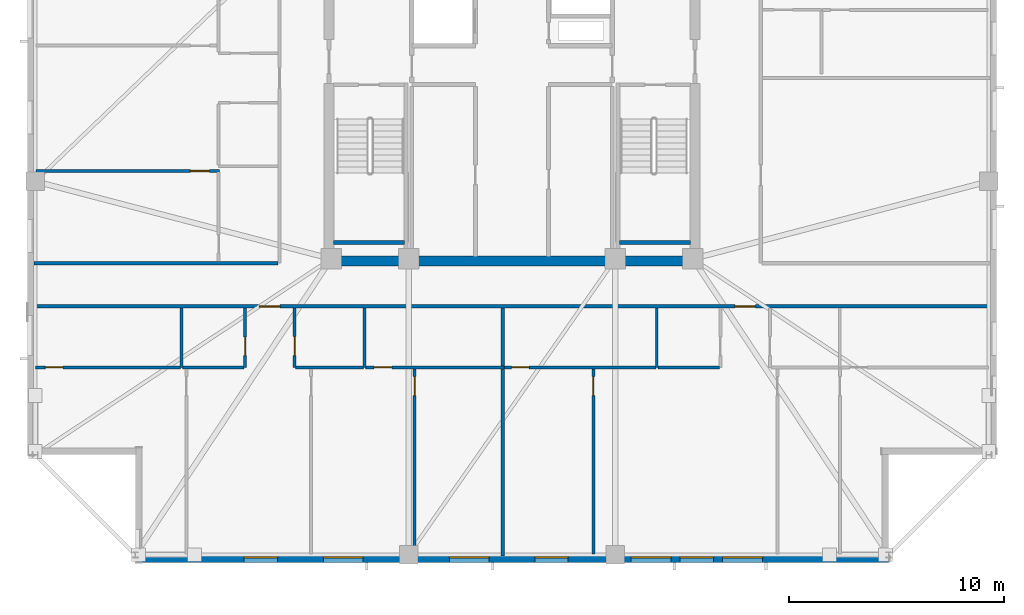
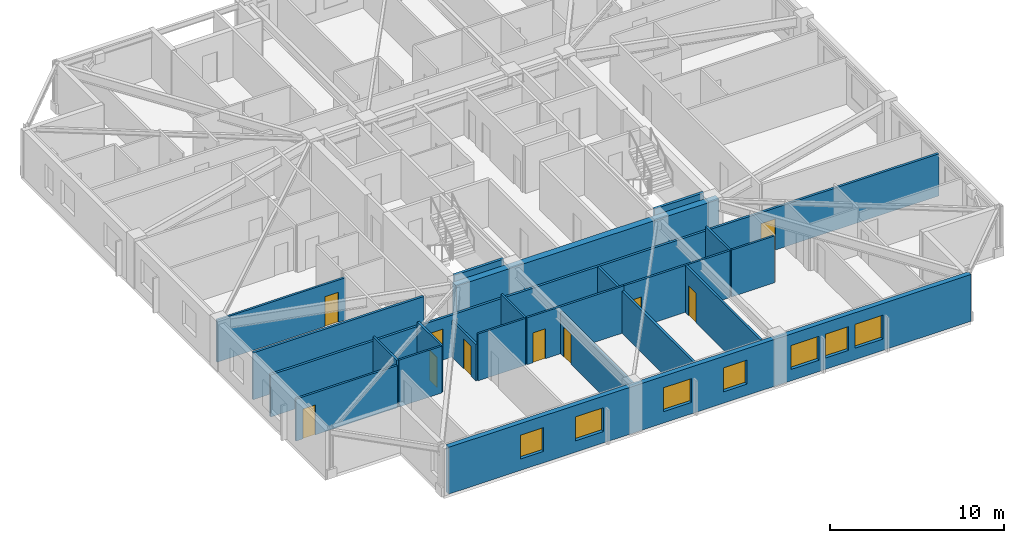
# One storey, part 7 of 17: 21 walls, 10 doors, 7 windows, 17 openings.
"""IFC4 building model written with IfcOpenShell, lengths in metres."""

import ifcopenshell
import ifcopenshell.guid

model = None  # the IFC model being written
_history = None  # IfcOwnerHistory: only IFC2X3 demands one
_inside = {}  # id of a spatial element -> (the spatial element, [elements in it])
_under = {}  # id of a project, library or spatial element -> (it, [spatial elements below it])
_declared = {}  # id of a project -> (the project, [libraries it declares])
_typed = {}  # id of a type object -> (the type object, [elements of that type])
_made_of = {}  # id of a material, layer set ... -> (it, [elements and type objects made of it])


def new_model(schema):
    """Start an empty IFC model of exactly this schema.

    Asked for "IFC4X3", IfcOpenShell would pick the latest addendum, in which some entities
    have other attributes; the version numbers below select the first issue.
    IFC2X3 requires an IfcOwnerHistory on every rooted entity: one is made here for all.
    """
    global model, _history
    if schema == "IFC4X3":
        model = ifcopenshell.file(schema_version=(4, 3, 0, 0))
    else:
        model = ifcopenshell.file(schema=schema)
    _inside.clear()
    _under.clear()
    _declared.clear()
    _typed.clear()
    _made_of.clear()
    _history = None
    if model.schema == "IFC2X3":
        org = make("IfcOrganization", Name="unknown")
        user = make(
            "IfcPersonAndOrganization",
            ThePerson=make("IfcPerson", FamilyName="unknown"),
            TheOrganization=org,
        )
        app = make(
            "IfcApplication",
            ApplicationDeveloper=org,
            Version="unknown",
            ApplicationFullName="unknown",
            ApplicationIdentifier="unknown",
        )
        _history = make(
            "IfcOwnerHistory",
            OwningUser=user,
            OwningApplication=app,
            ChangeAction="ADDED",
            CreationDate=0,
        )
    return model


def make(cls, **values):
    """One entity of the class cls with the attributes given. An attribute that is None is left unset."""
    return model.create_entity(
        cls, **{name: value for name, value in values.items() if value is not None}
    )


def rooted(cls, **values):
    """An entity with a GlobalId (a new one), such as an element, a storey or a relation."""
    return make(cls, GlobalId=ifcopenshell.guid.new(), OwnerHistory=_history, **values)


def si_unit(unit_type, name, prefix=None):
    """IfcSIUnit, for example si_unit("LENGTHUNIT", "METRE", prefix="MILLI")."""
    return make("IfcSIUnit", UnitType=unit_type, Prefix=prefix, Name=name)


def assignment(units):
    """IfcUnitAssignment: the units of a project."""
    return None if units is None else make("IfcUnitAssignment", Units=units)


def point(xyz):
    """IfcCartesianPoint."""
    return None if xyz is None else make("IfcCartesianPoint", Coordinates=xyz)


def direction(xyz):
    """IfcDirection."""
    return None if xyz is None else make("IfcDirection", DirectionRatios=xyz)


def frame(location, z_axis=None, x_axis=None):
    """IfcAxis2Placement3D, a coordinate frame: its origin and axes. An axis left out is left unset."""
    return make(
        "IfcAxis2Placement3D",
        Location=point(location),
        Axis=direction(z_axis),
        RefDirection=direction(x_axis),
    )


def frame_2d(location, x_axis=None):
    """IfcAxis2Placement2D, a coordinate frame in the plane: its origin and x axis."""
    return make(
        "IfcAxis2Placement2D", Location=point(location), RefDirection=direction(x_axis)
    )


def origin():
    """The frame at (0, 0, 0) with its axes left unset."""
    return frame((0.0, 0.0, 0.0))


def place(relative_to, where):
    """IfcLocalPlacement: puts the frame where relative to a parent placement (None: the world)."""
    return make(
        "IfcLocalPlacement", PlacementRelTo=relative_to, RelativePlacement=where
    )


def context(
    kind, dimensions, precision=None, world=None, true_north=None, identifier=None
):
    """IfcGeometricRepresentationContext, for example the 3D "Model" context."""
    return make(
        "IfcGeometricRepresentationContext",
        ContextIdentifier=identifier,
        ContextType=kind,
        CoordinateSpaceDimension=dimensions,
        Precision=precision,
        WorldCoordinateSystem=world,
        TrueNorth=true_north,
    )


def subcontext(parent, identifier, kind, view, scale=None):
    """IfcGeometricRepresentationSubContext, for example "Body" below "Model"."""
    return make(
        "IfcGeometricRepresentationSubContext",
        ContextIdentifier=identifier,
        ContextType=kind,
        ParentContext=parent,
        TargetScale=scale,
        TargetView=view,
    )


def project(units=None, contexts=None):
    """IfcProject with its units and contexts."""
    return rooted(
        "IfcProject",
        Name="project",
        RepresentationContexts=contexts,
        UnitsInContext=assignment(units),
    )


def spatial(cls, under=None, at=None, **own):
    """A site, building, storey or space (cls), placed at a placement, below another one or the project."""
    s = rooted(cls, ObjectPlacement=at, **own)
    if under is not None:
        _under.setdefault(under.id(), (under, []))[1].append(s)
    return s


def profile(cls, at=None, kind="AREA", **sizes):
    """A parametric profile (cls). Its sizes go by their IFC names, for example OverallWidth=200.0."""
    return make(cls, ProfileType=kind, Position=at, **sizes)


def rectangle(**sizes):
    """IfcRectangleProfileDef."""
    return profile("IfcRectangleProfileDef", **sizes)


def extrude(swept, where, along, depth):
    """IfcExtrudedAreaSolid: the profile swept, set in the frame where, extruded along a direction by depth."""
    return make(
        "IfcExtrudedAreaSolid",
        SweptArea=swept,
        Position=where,
        ExtrudedDirection=direction(along),
        Depth=depth,
    )


def shape(context_of_items, identifier, shape_type, items):
    """IfcShapeRepresentation: the items that make up one representation, for example the "Body"."""
    return make(
        "IfcShapeRepresentation",
        ContextOfItems=context_of_items,
        RepresentationIdentifier=identifier,
        RepresentationType=shape_type,
        Items=items,
    )


def material(Name=None, Category=None):
    """IfcMaterial."""
    return make("IfcMaterial", Name=Name, Category=Category)


def layer(
    of_material, thickness, ventilated=None, Name=None, Category=None, Priority=None
):
    """IfcMaterialLayer: one layer of a wall or slab, of a material (None: an air gap)."""
    return make(
        "IfcMaterialLayer",
        Material=of_material,
        LayerThickness=thickness,
        IsVentilated=ventilated,
        Name=Name,
        Category=Category,
        Priority=Priority,
    )


def layer_set(layers, Name=None):
    """IfcMaterialLayerSet."""
    return make("IfcMaterialLayerSet", MaterialLayers=layers, LayerSetName=Name)


def made_of(thing, what):
    """Note that an element or type object is made of a material, layer set ...; save() writes the relation."""
    if what is not None:
        _made_of.setdefault(what.id(), (what, []))[1].append(thing)
    return thing


def type_object(cls, material=None, **own):
    """A type object (cls), such as IfcWallType, which elements share."""
    return made_of(rooted(cls, **own), material)


def element(
    cls,
    number,
    at=None,
    inside=None,
    cuts=None,
    type_object=None,
    material=None,
    context=None,
    identifier="Body",
    shape_type=None,
    held_by="IfcProductDefinitionShape",
    body=None,
    shapes=None,
    **own,
):
    """One element of the class cls, such as IfcWall. Its Tag is "e" and its number.

    at: its placement. inside: the storey or other place that contains it. cuts: it is an
    opening in that element (IfcRelVoidsElement). A single representation is given by context,
    identifier, shape_type and body (its items); several are given by shapes. held_by: the class
    of the entity that holds the representations. save() writes the other relations.
    """
    e = rooted(cls, Tag="e%d" % number, ObjectPlacement=at, **own)
    if body is not None:
        shapes = [shape(context, identifier, shape_type, body)]
    if shapes is not None:
        e.Representation = make(held_by, Representations=shapes)
    if inside is not None:
        _inside.setdefault(inside.id(), (inside, []))[1].append(e)
    if cuts is not None:
        rooted(
            "IfcRelVoidsElement", RelatingBuildingElement=cuts, RelatedOpeningElement=e
        )
    if type_object is not None:
        _typed.setdefault(type_object.id(), (type_object, []))[1].append(e)
    return made_of(e, material)


def fill(opening, filler):
    """IfcRelFillsElement: the door or window that sits in an opening."""
    return rooted(
        "IfcRelFillsElement",
        RelatingOpeningElement=opening,
        RelatedBuildingElement=filler,
    )


def aggregate(whole, parts):
    """IfcRelAggregates: a whole, such as a stair, and the parts it consists of."""
    return rooted("IfcRelAggregates", RelatingObject=whole, RelatedObjects=parts)


def save(model, path):
    """Write the relations noted so far, then the file.

    IfcRelAggregates (storeys below a building ...), IfcRelContainedInSpatialStructure (elements
    in a storey), IfcRelDefinesByType, IfcRelAssociatesMaterial and IfcRelDeclares: one each for
    every whole, place, type object, material and project.
    """
    for whole, parts in _under.values():
        aggregate(whole, parts)
    for where, things in _inside.values():
        rooted(
            "IfcRelContainedInSpatialStructure",
            RelatedElements=things,
            RelatingStructure=where,
        )
    for kind, things in _typed.values():
        rooted("IfcRelDefinesByType", RelatedObjects=things, RelatingType=kind)
    for what, things in _made_of.values():
        rooted("IfcRelAssociatesMaterial", RelatedObjects=things, RelatingMaterial=what)
    for by, libraries in _declared.values():
        rooted("IfcRelDeclares", RelatingContext=by, RelatedDefinitions=libraries)
    model.write(path)


model = new_model("IFC4")

# Units and contexts
model_context = context("Model", 3, precision=1e-05, world=origin(), true_north=direction((0.0, 1.0)))
body_context = subcontext(model_context, "Body", "Model", "MODEL_VIEW")
ifc_project = project(units=[si_unit("LENGTHUNIT", "METRE"), si_unit("AREAUNIT", "SQUARE_METRE"), si_unit("VOLUMEUNIT", "CUBIC_METRE"), si_unit("PLANEANGLEUNIT", "RADIAN"), si_unit("MASSUNIT", "GRAM", prefix="KILO")], contexts=[model_context])

# Site, building, storey
site_placement = place(None, origin())
site = spatial("IfcSite", under=ifc_project, at=site_placement, CompositionType="ELEMENT")
building_placement = place(site_placement, origin())
building = spatial("IfcBuilding", under=site, at=building_placement, Name="Cairnveth Concourse Tower", CompositionType="ELEMENT")
storey_placement = place(building_placement, frame((0.0, 0.0, 223.5)))
storey = spatial("IfcBuildingStorey", under=building, at=storey_placement, Name="L61", CompositionType="ELEMENT", Elevation=223.5)

# Wall, openings, doors
ifc_material_1 = material(Name="Gypsum Plasterboard Partition", Category="gypsum")
ifc_layer_1 = layer(ifc_material_1, 0.159912109375)
ifc_layer_set_1 = layer_set([ifc_layer_1], Name="Gypsum Plasterboard Partition")
wall_type_1 = type_object("IfcWallType", Name="ACOUSTIC PARTY WALL 180", PredefinedType="PARTITIONING", material=ifc_layer_set_1)
wall_1_placement = place(storey_placement, frame((29.804931640625, 28.387451171875, 0.0), z_axis=(0.0, 0.0, 1.0), x_axis=(1.0, 0.0, 0.0)))
wall_1 = element("IfcWall", 1, at=wall_1_placement, inside=storey, type_object=wall_type_1, Name="Interior Wall IW-L61-034", PredefinedType="PARTITIONING", context=body_context, shape_type="SweptSolid", body=[
    extrude(rectangle(XDim=44.39013671875, YDim=0.159912109375, at=frame_2d((22.195068359375, 0.0))), origin(), (0.0, 0.0, 1.0), 2.9580078125),
])
opening_1_placement = place(wall_1_placement, frame((10.463623046875, 0.0, 0.0)))
opening_1 = element("IfcOpeningElement", 2, at=opening_1_placement, cuts=wall_1, Name="Opening ID10", PredefinedType="OPENING", context=body_context, shape_type="SweptSolid", body=[
    extrude(rectangle(XDim=0.9599609375, YDim=2.179931640625, at=frame_2d((0.47998046875, 1.08984375))), frame((0.0, 0.08984375, 0.0), z_axis=(0.0, -1.0, 0.0), x_axis=(1.0, 0.0, 0.0)), (0.0, 0.0, 1.0), 0.179931640625),
])
opening_2_placement = place(wall_1_placement, frame((32.543701171875, 0.0, 0.0)))
opening_2 = element("IfcOpeningElement", 3, at=opening_2_placement, cuts=wall_1, Name="Opening ID10", PredefinedType="OPENING", context=body_context, shape_type="SweptSolid", body=[
    extrude(rectangle(XDim=0.9599609375, YDim=2.179931640625, at=frame_2d((0.47998046875, 1.08984375))), frame((0.0, 0.08984375, 0.0), z_axis=(0.0, -1.0, 0.0), x_axis=(1.0, 0.0, 0.0)), (0.0, 0.0, 1.0), 0.179931640625),
])
ifc_material_2 = material(Name="Solid Core Hardwood Timber Leaf", Category="wood")
door_type_1 = type_object("IfcDoorType", Name="FLAT ENTRANCE DOOR 960X2150", OperationType="NOTDEFINED", PredefinedType="DOOR", material=ifc_material_2)
door_1_placement = place(opening_1_placement, origin())
door_1 = element("IfcDoor", 4, at=door_1_placement, inside=storey, type_object=door_type_1, Name="Apartment L61S1 Entrance Door", OperationType="SINGLE_SWING_RIGHT", OverallHeight=2.179931640625, OverallWidth=0.9599609375, PredefinedType="DOOR", context=body_context, shape_type="SweptSolid", body=[
    extrude(rectangle(XDim=0.9599609375, YDim=2.179931640625, at=frame_2d((0.47998046875, 1.08984375))), frame((0.0, 0.02490234375, 0.0), z_axis=(0.0, -1.0, 0.0), x_axis=(1.0, 0.0, 0.0)), (0.0, 0.0, 1.0), 0.050048828125),
])
fill(opening_1, door_1)
door_2_placement = place(opening_2_placement, origin())
door_2 = element("IfcDoor", 5, at=door_2_placement, inside=storey, type_object=door_type_1, Name="Apartment L61S2 Entrance Door", OperationType="SINGLE_SWING_RIGHT", OverallHeight=2.179931640625, OverallWidth=0.9599609375, PredefinedType="DOOR", context=body_context, shape_type="SweptSolid", body=[
    extrude(rectangle(XDim=0.9599609375, YDim=2.179931640625, at=frame_2d((0.47998046875, 1.08984375))), frame((0.0, 0.02490234375, 0.0), z_axis=(0.0, -1.0, 0.0), x_axis=(1.0, 0.0, 0.0)), (0.0, 0.0, 1.0), 0.050048828125),
])
fill(opening_2, door_2)

# Walls
wall_2_placement = place(storey_placement, frame((29.804931640625, 30.39990234375, 0.0), z_axis=(0.0, 0.0, 1.0), x_axis=(1.0, 0.0, 0.0)))
element("IfcWall", 6, at=wall_2_placement, inside=storey, type_object=wall_type_1, Name="Interior Wall IW-L61-038", PredefinedType="PARTITIONING", context=body_context, shape_type="SweptSolid", body=[
    extrude(rectangle(XDim=11.330078125, YDim=0.159912109375, at=frame_2d((5.6650390625, 0.0))), origin(), (0.0, 0.0, 1.0), 3.2900390625),
])
wall_3_placement = place(storey_placement, frame((51.577392578125, 16.804931640625, 0.0), z_axis=(0.0, 0.0, 1.0), x_axis=(0.0, 1.0, 0.0)))
element("IfcWall", 7, at=wall_3_placement, inside=storey, type_object=wall_type_1, Name="Interior Wall IW-L61-053", PredefinedType="PARTITIONING", context=body_context, shape_type="SweptSolid", body=[
    extrude(rectangle(XDim=11.517578125, YDim=0.159912109375, at=frame_2d((5.7587890625, 0.0))), origin(), (0.0, 0.0, 1.0), 2.9580078125),
])
ifc_material_3 = material(Name="Concrete N65 (65 MPa)", Category="concrete")
ifc_layer_2 = layer(ifc_material_3, 0.449951171875)
ifc_layer_set_2 = layer_set([ifc_layer_2], Name="Concrete N65 (65 MPa)")
wall_type_2 = type_object("IfcWallType", Name="CORE SHEAR WALL 450", PredefinedType="SHEAR", material=ifc_layer_set_2)
wall_4_placement = place(storey_placement, frame((43.27490234375, 30.5, 0.0), z_axis=(0.0, 0.0, 1.0), x_axis=(1.0, 0.0, 0.0)))
element("IfcWall", 8, at=wall_4_placement, inside=storey, type_object=wall_type_2, Name="Core South Shear Wall L61", PredefinedType="SHEAR", context=body_context, shape_type="SweptSolid", body=[
    extrude(rectangle(XDim=17.4501953125, YDim=0.449951171875, at=frame_2d((8.72509765625, 0.0))), origin(), (0.0, 0.0, 1.0), 3.2900390625),
])
ifc_material_4 = material(Name="Concrete N50 (50 MPa)", Category="concrete")
ifc_layer_3 = layer(ifc_material_4, 0.179931640625)
ifc_layer_set_3 = layer_set([ifc_layer_3], Name="Concrete N50 (50 MPa)")
wall_type_3 = type_object("IfcWallType", Name="FIRE SHAFT WALL 180", PredefinedType="SOLIDWALL", material=ifc_layer_set_3)
for number, where, z_axis, x_axis, name in (
    (9, (43.715087890625, 31.360107421875, 0.0), (0.0, 0.0, 1.0), (1.0, 0.0, 0.0), "Stair ST-1 Shaft Wall FAR L61"),
    (10, (57.0048828125, 31.360107421875, 0.0), (0.0, 0.0, 1.0), (1.0, 0.0, 0.0), "Stair ST-2 Shaft Wall FAR L61"),
):
    element("IfcWall", number, at=place(storey_placement, frame(where, z_axis=z_axis, x_axis=x_axis)), inside=storey, type_object=wall_type_3, Name=name, PredefinedType="SOLIDWALL", context=body_context, shape_type="SweptSolid", body=[
        extrude(rectangle(XDim=3.280029296875, YDim=0.179931640625, at=frame_2d((1.64013671875, 0.0))), origin(), (0.0, 0.0, 1.0), 3.2900390625),
    ])

# Wall, opening, door
ifc_layer_4 = layer(ifc_material_1, 0.139892578125)
ifc_layer_set_4 = layer_set([ifc_layer_4], Name="Gypsum Plasterboard Partition")
wall_type_4 = type_object("IfcWallType", Name="GYPSUM STUD PARTITION 140", PredefinedType="PARTITIONING", material=ifc_layer_set_4)
wall_5_placement = place(storey_placement, frame((29.8701171875, 25.5576171875, 0.0), z_axis=(0.0, 0.0, 1.0), x_axis=(1.0, 0.0, 0.0)))
wall_5 = element("IfcWall", 11, at=wall_5_placement, inside=storey, type_object=wall_type_4, Name="Interior Wall IW-L61-049", PredefinedType="PARTITIONING", context=body_context, shape_type="SweptSolid", body=[
    extrude(rectangle(XDim=6.728759765625, YDim=0.139892578125, at=frame_2d((3.3642578125, 0.0))), origin(), (0.0, 0.0, 1.0), 2.9580078125),
])
opening_3_placement = place(wall_5_placement, frame((0.449951171875, 0.0, 0.0)))
opening_3 = element("IfcOpeningElement", 12, at=opening_3_placement, cuts=wall_5, Name="Opening ID22", PredefinedType="OPENING", context=body_context, shape_type="SweptSolid", body=[
    extrude(rectangle(XDim=0.820068359375, YDim=2.10009765625, at=frame_2d((0.41015625, 1.050048828125))), frame((0.0, 0.079833984375, 0.0), z_axis=(0.0, -1.0, 0.0), x_axis=(1.0, 0.0, 0.0)), (0.0, 0.0, 1.0), 0.159912109375),
])
door_type_2 = type_object("IfcDoorType", Name="INTERIOR WC DOOR 820X2100", OperationType="NOTDEFINED", PredefinedType="DOOR", material=ifc_material_2)
door_3_placement = place(opening_3_placement, origin())
door_3 = element("IfcDoor", 13, at=door_3_placement, inside=storey, type_object=door_type_2, Name="L61S1 Dressing Door", OperationType="SINGLE_SWING_LEFT", OverallHeight=2.10009765625, OverallWidth=0.820068359375, PredefinedType="DOOR", context=body_context, shape_type="SweptSolid", body=[
    extrude(rectangle(XDim=0.820068359375, YDim=2.10009765625, at=frame_2d((0.41015625, 1.050048828125))), frame((0.0, 0.02490234375, 0.0), z_axis=(0.0, -1.0, 0.0), x_axis=(1.0, 0.0, 0.0)), (0.0, 0.0, 1.0), 0.050048828125),
])
fill(opening_3, door_3)

wall_6_placement = place(storey_placement, frame((47.4775390625, 16.8798828125, 0.0), z_axis=(0.0, 0.0, 1.0), x_axis=(0.0, 1.0, 0.0)))
wall_6 = element("IfcWall", 14, at=wall_6_placement, inside=storey, type_object=wall_type_4, Name="Interior Wall IW-L61-050", PredefinedType="PARTITIONING", context=body_context, shape_type="SweptSolid", body=[
    extrude(rectangle(XDim=8.717529296875, YDim=0.139892578125, at=frame_2d((4.35888671875, 0.0))), origin(), (0.0, 0.0, 1.0), 2.9580078125),
])
opening_4_placement = place(wall_6_placement, frame((7.367431640625, 0.0, 0.0)))
opening_4 = element("IfcOpeningElement", 15, at=opening_4_placement, cuts=wall_6, Name="Opening ID18", PredefinedType="OPENING", context=body_context, shape_type="SweptSolid", body=[
    extrude(rectangle(XDim=0.8798828125, YDim=2.10009765625, at=frame_2d((0.43994140625, 1.050048828125))), frame((0.0, 0.079833984375, 0.0), z_axis=(0.0, -1.0, 0.0), x_axis=(1.0, 0.0, 0.0)), (0.0, 0.0, 1.0), 0.159912109375),
])
door_type_3 = type_object("IfcDoorType", Name="INTERIOR SINGLE DOOR 880X2100", OperationType="NOTDEFINED", PredefinedType="DOOR", material=ifc_material_2)
door_4_placement = place(opening_4_placement, origin())
door_4 = element("IfcDoor", 16, at=door_4_placement, inside=storey, type_object=door_type_3, Name="L61S1 Bedroom 2 Door", OperationType="SINGLE_SWING_RIGHT", OverallHeight=2.10009765625, OverallWidth=0.8798828125, PredefinedType="DOOR", context=body_context, shape_type="SweptSolid", body=[
    extrude(rectangle(XDim=0.8798828125, YDim=2.10009765625, at=frame_2d((0.43994140625, 1.050048828125))), frame((0.0, 0.02490234375, 0.0), z_axis=(0.0, -1.0, 0.0), x_axis=(1.0, 0.0, 0.0)), (0.0, 0.0, 1.0), 0.050048828125),
])
fill(opening_4, door_4)

wall_7_placement = place(storey_placement, frame((45.19873046875, 25.5576171875, 0.0), z_axis=(0.0, 0.0, 1.0), x_axis=(1.0, 0.0, 0.0)))
wall_7 = element("IfcWall", 17, at=wall_7_placement, inside=storey, type_object=wall_type_4, Name="Interior Wall IW-L61-051", PredefinedType="PARTITIONING", context=body_context, shape_type="SweptSolid", body=[
    extrude(rectangle(XDim=6.4287109375, YDim=0.139892578125, at=frame_2d((3.21435546875, 0.0))), origin(), (0.0, 0.0, 1.0), 3.2900390625),
])
opening_5_placement = place(wall_7_placement, frame((0.39990234375, 0.0, 0.0)))
opening_5 = element("IfcOpeningElement", 18, at=opening_5_placement, cuts=wall_7, Name="Opening ID22", PredefinedType="OPENING", context=body_context, shape_type="SweptSolid", body=[
    extrude(rectangle(XDim=0.820068359375, YDim=2.10009765625, at=frame_2d((0.41015625, 1.050048828125))), frame((0.0, 0.079833984375, 0.0), z_axis=(0.0, -1.0, 0.0), x_axis=(1.0, 0.0, 0.0)), (0.0, 0.0, 1.0), 0.159912109375),
])
door_5_placement = place(opening_5_placement, origin())
door_5 = element("IfcDoor", 19, at=door_5_placement, inside=storey, type_object=door_type_2, Name="L61S1 Utility Door", OperationType="SINGLE_SWING_LEFT", OverallHeight=2.10009765625, OverallWidth=0.820068359375, PredefinedType="DOOR", context=body_context, shape_type="SweptSolid", body=[
    extrude(rectangle(XDim=0.820068359375, YDim=2.10009765625, at=frame_2d((0.41015625, 1.050048828125))), frame((0.0, 0.02490234375, 0.0), z_axis=(0.0, -1.0, 0.0), x_axis=(1.0, 0.0, 0.0)), (0.0, 0.0, 1.0), 0.050048828125),
])
fill(opening_5, door_5)

wall_8_placement = place(storey_placement, frame((55.777587890625, 16.8798828125, 0.0), z_axis=(0.0, 0.0, 1.0), x_axis=(0.0, 1.0, 0.0)))
wall_8 = element("IfcWall", 20, at=wall_8_placement, inside=storey, type_object=wall_type_4, Name="Interior Wall IW-L61-060", PredefinedType="PARTITIONING", context=body_context, shape_type="SweptSolid", body=[
    extrude(rectangle(XDim=8.717529296875, YDim=0.139892578125, at=frame_2d((4.35888671875, 0.0))), origin(), (0.0, 0.0, 1.0), 3.2900390625),
])
opening_6_placement = place(wall_8_placement, frame((7.367431640625, 0.0, 0.0)))
opening_6 = element("IfcOpeningElement", 21, at=opening_6_placement, cuts=wall_8, Name="Opening ID18", PredefinedType="OPENING", context=body_context, shape_type="SweptSolid", body=[
    extrude(rectangle(XDim=0.8798828125, YDim=2.10009765625, at=frame_2d((0.43994140625, 1.050048828125))), frame((0.0, 0.079833984375, 0.0), z_axis=(0.0, -1.0, 0.0), x_axis=(1.0, 0.0, 0.0)), (0.0, 0.0, 1.0), 0.159912109375),
])
door_6_placement = place(opening_6_placement, origin())
door_6 = element("IfcDoor", 22, at=door_6_placement, inside=storey, type_object=door_type_3, Name="L61S2 Master Bedroom Door", OperationType="SINGLE_SWING_RIGHT", OverallHeight=2.10009765625, OverallWidth=0.8798828125, PredefinedType="DOOR", context=body_context, shape_type="SweptSolid", body=[
    extrude(rectangle(XDim=0.8798828125, YDim=2.10009765625, at=frame_2d((0.43994140625, 1.050048828125))), frame((0.0, 0.02490234375, 0.0), z_axis=(0.0, -1.0, 0.0), x_axis=(1.0, 0.0, 0.0)), (0.0, 0.0, 1.0), 0.050048828125),
])
fill(opening_6, door_6)

wall_9_placement = place(storey_placement, frame((51.642578125, 25.5576171875, 0.0), z_axis=(0.0, 0.0, 1.0), x_axis=(1.0, 0.0, 0.0)))
wall_9 = element("IfcWall", 23, at=wall_9_placement, inside=storey, type_object=wall_type_4, Name="Interior Wall IW-L61-061", PredefinedType="PARTITIONING", context=body_context, shape_type="SweptSolid", body=[
    extrude(rectangle(XDim=7.0361328125, YDim=0.139892578125, at=frame_2d((3.51806640625, 0.0))), origin(), (0.0, 0.0, 1.0), 3.2900390625),
])
opening_7_placement = place(wall_9_placement, frame((0.3349609375, 0.0, 0.0)))
opening_7 = element("IfcOpeningElement", 24, at=opening_7_placement, cuts=wall_9, Name="Opening ID22", PredefinedType="OPENING", context=body_context, shape_type="SweptSolid", body=[
    extrude(rectangle(XDim=0.820068359375, YDim=2.10009765625, at=frame_2d((0.41015625, 1.050048828125))), frame((0.0, 0.079833984375, 0.0), z_axis=(0.0, -1.0, 0.0), x_axis=(1.0, 0.0, 0.0)), (0.0, 0.0, 1.0), 0.159912109375),
])
door_7_placement = place(opening_7_placement, origin())
door_7 = element("IfcDoor", 25, at=door_7_placement, inside=storey, type_object=door_type_2, Name="L61S2 Dressing Door", OperationType="SINGLE_SWING_LEFT", OverallHeight=2.10009765625, OverallWidth=0.820068359375, PredefinedType="DOOR", context=body_context, shape_type="SweptSolid", body=[
    extrude(rectangle(XDim=0.820068359375, YDim=2.10009765625, at=frame_2d((0.41015625, 1.050048828125))), frame((0.0, 0.02490234375, 0.0), z_axis=(0.0, -1.0, 0.0), x_axis=(1.0, 0.0, 0.0)), (0.0, 0.0, 1.0), 0.050048828125),
])
fill(opening_7, door_7)

wall_10_placement = place(storey_placement, frame((29.8798828125, 34.679931640625, 0.0), z_axis=(0.0, 0.0, 1.0), x_axis=(1.0, 0.0, 0.0)))
wall_10 = element("IfcWall", 26, at=wall_10_placement, inside=storey, type_object=wall_type_4, Name="Interior Wall IW-L61-102", PredefinedType="PARTITIONING", context=body_context, shape_type="SweptSolid", body=[
    extrude(rectangle(XDim=8.530029296875, YDim=0.139892578125, at=frame_2d((4.26513671875, 0.0))), origin(), (0.0, 0.0, 1.0), 2.9580078125),
])
opening_8_placement = place(wall_10_placement, frame((7.179931640625, 0.0, 0.0)))
opening_8 = element("IfcOpeningElement", 27, at=opening_8_placement, cuts=wall_10, Name="Opening ID18", PredefinedType="OPENING", context=body_context, shape_type="SweptSolid", body=[
    extrude(rectangle(XDim=0.8798828125, YDim=2.10009765625, at=frame_2d((0.43994140625, 1.050048828125))), frame((0.0, 0.079833984375, 0.0), z_axis=(0.0, -1.0, 0.0), x_axis=(1.0, 0.0, 0.0)), (0.0, 0.0, 1.0), 0.159912109375),
])
door_8_placement = place(opening_8_placement, origin())
door_8 = element("IfcDoor", 28, at=door_8_placement, inside=storey, type_object=door_type_3, Name="L61W1 Master Bedroom Door", OperationType="SINGLE_SWING_RIGHT", OverallHeight=2.10009765625, OverallWidth=0.8798828125, PredefinedType="DOOR", context=body_context, shape_type="SweptSolid", body=[
    extrude(rectangle(XDim=0.8798828125, YDim=2.10009765625, at=frame_2d((0.43994140625, 1.050048828125))), frame((0.0, 0.02490234375, 0.0), z_axis=(0.0, -1.0, 0.0), x_axis=(1.0, 0.0, 0.0)), (0.0, 0.0, 1.0), 0.050048828125),
])
fill(opening_8, door_8)

# Wall
ifc_layer_5 = layer(ifc_material_1, 0.1298828125)
ifc_layer_set_5 = layer_set([ifc_layer_5], Name="Gypsum Plasterboard Partition")
wall_type_5 = type_object("IfcWallType", Name="WET AREA PARTITION 140", PredefinedType="PLUMBINGWALL", material=ifc_layer_set_5)
wall_11_placement = place(storey_placement, frame((36.648681640625, 25.5576171875, 0.0), z_axis=(0.0, 0.0, 1.0), x_axis=(0.0, 1.0, 0.0)))
element("IfcWall", 29, at=wall_11_placement, inside=storey, type_object=wall_type_5, Name="Interior Wall IW-L61-042", PredefinedType="PLUMBINGWALL", context=body_context, shape_type="SweptSolid", body=[
    extrude(rectangle(XDim=2.75, YDim=0.1298828125, at=frame_2d((1.375, 0.0))), origin(), (0.0, 0.0, 1.0), 3.2900390625),
])

# Wall, opening, door
wall_12_placement = place(storey_placement, frame((39.598876953125, 25.5576171875, 0.0), z_axis=(0.0, 0.0, 1.0), x_axis=(0.0, 1.0, 0.0)))
wall_12 = element("IfcWall", 30, at=wall_12_placement, inside=storey, type_object=wall_type_5, Name="Interior Wall IW-L61-043", PredefinedType="PLUMBINGWALL", context=body_context, shape_type="SweptSolid", body=[
    extrude(rectangle(XDim=2.75, YDim=0.1298828125, at=frame_2d((1.375, 0.0))), origin(), (0.0, 0.0, 1.0), 3.2900390625),
])
opening_9_placement = place(wall_12_placement, frame((0.550048828125, 0.0, 0.0)))
opening_9 = element("IfcOpeningElement", 31, at=opening_9_placement, cuts=wall_12, Name="Opening ID21", PredefinedType="OPENING", context=body_context, shape_type="SweptSolid", body=[
    extrude(rectangle(XDim=0.85009765625, YDim=2.080078125, at=frame_2d((0.425048828125, 1.0400390625))), frame((0.0, 0.074951171875, 0.0), z_axis=(0.0, -1.0, 0.0), x_axis=(1.0, 0.0, 0.0)), (0.0, 0.0, 1.0), 0.14990234375),
])
door_type_4 = type_object("IfcDoorType", Name="INTERIOR WC DOOR 850X2100", OperationType="NOTDEFINED", PredefinedType="DOOR", material=ifc_material_2)
door_9_placement = place(opening_9_placement, origin())
door_9 = element("IfcDoor", 32, at=door_9_placement, inside=storey, type_object=door_type_4, Name="L61S1 Bathroom Door", OperationType="SINGLE_SWING_LEFT", OverallHeight=2.080078125, OverallWidth=0.85009765625, PredefinedType="DOOR", context=body_context, shape_type="SweptSolid", body=[
    extrude(rectangle(XDim=0.85009765625, YDim=2.080078125, at=frame_2d((0.425048828125, 1.0400390625))), frame((0.0, 0.02490234375, 0.0), z_axis=(0.0, -1.0, 0.0), x_axis=(1.0, 0.0, 0.0)), (0.0, 0.0, 1.0), 0.050048828125),
])
fill(opening_9, door_9)

# Walls
wall_13_placement = place(storey_placement, frame((36.69873046875, 25.5576171875, 0.0), z_axis=(0.0, 0.0, 1.0), x_axis=(1.0, 0.0, 0.0)))
element("IfcWall", 33, at=wall_13_placement, inside=storey, type_object=wall_type_5, Name="Interior Wall IW-L61-044", PredefinedType="PLUMBINGWALL", context=body_context, shape_type="SweptSolid", body=[
    extrude(rectangle(XDim=2.85009765625, YDim=0.1298828125, at=frame_2d((1.425048828125, 0.0))), origin(), (0.0, 0.0, 1.0), 3.2900390625),
])
wall_14_placement = place(storey_placement, frame((45.148681640625, 25.5576171875, 0.0), z_axis=(0.0, 0.0, 1.0), x_axis=(0.0, 1.0, 0.0)))
element("IfcWall", 34, at=wall_14_placement, inside=storey, type_object=wall_type_5, Name="Interior Wall IW-L61-045", PredefinedType="PLUMBINGWALL", context=body_context, shape_type="SweptSolid", body=[
    extrude(rectangle(XDim=2.75, YDim=0.1298828125, at=frame_2d((1.375, 0.0))), origin(), (0.0, 0.0, 1.0), 3.2900390625),
])

# Wall, opening, door
wall_15_placement = place(storey_placement, frame((41.898681640625, 25.5576171875, 0.0), z_axis=(0.0, 0.0, 1.0), x_axis=(0.0, 1.0, 0.0)))
wall_15 = element("IfcWall", 35, at=wall_15_placement, inside=storey, type_object=wall_type_5, Name="Interior Wall IW-L61-046", PredefinedType="PLUMBINGWALL", context=body_context, shape_type="SweptSolid", body=[
    extrude(rectangle(XDim=2.75, YDim=0.1298828125, at=frame_2d((1.375, 0.0))), origin(), (0.0, 0.0, 1.0), 2.572998046875),
])
opening_10_placement = place(wall_15_placement, frame((0.550048828125, 0.0, 0.0)))
opening_10 = element("IfcOpeningElement", 36, at=opening_10_placement, cuts=wall_15, Name="Opening ID18", PredefinedType="OPENING", context=body_context, shape_type="SweptSolid", body=[
    extrude(rectangle(XDim=0.8798828125, YDim=2.10009765625, at=frame_2d((0.43994140625, 1.050048828125))), frame((0.0, 0.074951171875, 0.0), z_axis=(0.0, -1.0, 0.0), x_axis=(1.0, 0.0, 0.0)), (0.0, 0.0, 1.0), 0.14990234375),
])
door_10_placement = place(opening_10_placement, origin())
door_10 = element("IfcDoor", 37, at=door_10_placement, inside=storey, type_object=door_type_3, Name="L61S1 Kitchen Door", OperationType="SINGLE_SWING_RIGHT", OverallHeight=2.10009765625, OverallWidth=0.8798828125, PredefinedType="DOOR", context=body_context, shape_type="SweptSolid", body=[
    extrude(rectangle(XDim=0.8798828125, YDim=2.10009765625, at=frame_2d((0.43994140625, 1.050048828125))), frame((0.0, 0.02490234375, 0.0), z_axis=(0.0, -1.0, 0.0), x_axis=(1.0, 0.0, 0.0)), (0.0, 0.0, 1.0), 0.050048828125),
])
fill(opening_10, door_10)

# Walls
wall_16_placement = place(storey_placement, frame((41.94873046875, 25.5576171875, 0.0), z_axis=(0.0, 0.0, 1.0), x_axis=(1.0, 0.0, 0.0)))
element("IfcWall", 38, at=wall_16_placement, inside=storey, type_object=wall_type_5, Name="Interior Wall IW-L61-047", PredefinedType="PLUMBINGWALL", context=body_context, shape_type="SweptSolid", body=[
    extrude(rectangle(XDim=3.14990234375, YDim=0.1298828125, at=frame_2d((1.574951171875, 0.0))), origin(), (0.0, 0.0, 1.0), 3.2900390625),
])
wall_17_placement = place(storey_placement, frame((58.728759765625, 25.5576171875, 0.0), z_axis=(0.0, 0.0, 1.0), x_axis=(0.0, 1.0, 0.0)))
element("IfcWall", 39, at=wall_17_placement, inside=storey, type_object=wall_type_5, Name="Interior Wall IW-L61-054", PredefinedType="PLUMBINGWALL", context=body_context, shape_type="SweptSolid", body=[
    extrude(rectangle(XDim=2.75, YDim=0.1298828125, at=frame_2d((1.375, 0.0))), origin(), (0.0, 0.0, 1.0), 3.2900390625),
])
wall_18_placement = place(storey_placement, frame((58.77880859375, 25.5576171875, 0.0), z_axis=(0.0, 0.0, 1.0), x_axis=(1.0, 0.0, 0.0)))
element("IfcWall", 40, at=wall_18_placement, inside=storey, type_object=wall_type_5, Name="Interior Wall IW-L61-056", PredefinedType="PLUMBINGWALL", context=body_context, shape_type="SweptSolid", body=[
    extrude(rectangle(XDim=2.85009765625, YDim=0.1298828125, at=frame_2d((1.425048828125, 0.0))), origin(), (0.0, 0.0, 1.0), 3.2900390625),
])

# Wall, openings, windows
ifc_material_5 = material(Name="Melbourne Buff Fired Clay Brick Masonry", Category="masonry")
ifc_layer_6 = layer(ifc_material_5, 0.320068359375)
ifc_layer_set_6 = layer_set([ifc_layer_6], Name="Melbourne Buff Fired Clay Brick Masonry")
wall_type_6 = type_object("IfcWallType", Name="ZONE 3 BRICK PIER SPANDREL WALL 320", PredefinedType="SOLIDWALL", material=ifc_layer_set_6)
wall_19_placement = place(storey_placement, frame((69.5, 16.659912109375, 0.0), z_axis=(0.0, 0.0, 1.0), x_axis=(-1.0, 0.0, 0.0)))
wall_19 = element("IfcWall", 41, at=wall_19_placement, inside=storey, type_object=wall_type_6, Name="Exterior Wall EW-L61-S06", PredefinedType="SOLIDWALL", context=body_context, shape_type="SweptSolid", body=[
    extrude(rectangle(XDim=34.701904296875, YDim=0.320068359375, at=frame_2d((17.35107421875, 0.0))), origin(), (0.0, 0.0, 1.0), 3.2900390625),
])
opening_11_placement = place(wall_19_placement, frame((5.862548828125, 0.0, 0.800048828125)))
opening_11 = element("IfcOpeningElement", 42, at=opening_11_placement, cuts=wall_19, Name="Opening W08", PredefinedType="OPENING", context=body_context, shape_type="SweptSolid", body=[
    extrude(rectangle(XDim=1.85009765625, YDim=1.677978515625, at=frame_2d((0.925048828125, 0.8388671875))), frame((0.0, 0.169921875, 0.0), z_axis=(0.0, -1.0, 0.0), x_axis=(1.0, 0.0, 0.0)), (0.0, 0.0, 1.0), 0.340087890625),
])
opening_12_placement = place(wall_19_placement, frame((8.137939453125, 0.0, 0.800048828125)))
opening_12 = element("IfcOpeningElement", 43, at=opening_12_placement, cuts=wall_19, Name="Opening W07", PredefinedType="OPENING", context=body_context, shape_type="SweptSolid", body=[
    extrude(rectangle(XDim=1.550048828125, YDim=1.677978515625, at=frame_2d((0.77490234375, 0.8388671875))), frame((0.0, 0.169921875, 0.0), z_axis=(0.0, -1.0, 0.0), x_axis=(1.0, 0.0, 0.0)), (0.0, 0.0, 1.0), 0.340087890625),
])
opening_13_placement = place(wall_19_placement, frame((10.113037109375, 0.0, 0.800048828125)))
opening_13 = element("IfcOpeningElement", 44, at=opening_13_placement, cuts=wall_19, Name="Opening W08", PredefinedType="OPENING", context=body_context, shape_type="SweptSolid", body=[
    extrude(rectangle(XDim=1.85009765625, YDim=1.677978515625, at=frame_2d((0.925048828125, 0.8388671875))), frame((0.0, 0.169921875, 0.0), z_axis=(0.0, -1.0, 0.0), x_axis=(1.0, 0.0, 0.0)), (0.0, 0.0, 1.0), 0.340087890625),
])
opening_14_placement = place(wall_19_placement, frame((14.888427734375, 0.0, 0.800048828125)))
opening_14 = element("IfcOpeningElement", 45, at=opening_14_placement, cuts=wall_19, Name="Opening W07", PredefinedType="OPENING", context=body_context, shape_type="SweptSolid", body=[
    extrude(rectangle(XDim=1.550048828125, YDim=1.677978515625, at=frame_2d((0.77490234375, 0.8388671875))), frame((0.0, 0.169921875, 0.0), z_axis=(0.0, -1.0, 0.0), x_axis=(1.0, 0.0, 0.0)), (0.0, 0.0, 1.0), 0.340087890625),
])
opening_15_placement = place(wall_19_placement, frame((18.563720703125, 0.0, 0.800048828125)))
opening_15 = element("IfcOpeningElement", 46, at=opening_15_placement, cuts=wall_19, Name="Opening W08", PredefinedType="OPENING", context=body_context, shape_type="SweptSolid", body=[
    extrude(rectangle(XDim=1.85009765625, YDim=1.677978515625, at=frame_2d((0.925048828125, 0.8388671875))), frame((0.0, 0.169921875, 0.0), z_axis=(0.0, -1.0, 0.0), x_axis=(1.0, 0.0, 0.0)), (0.0, 0.0, 1.0), 0.340087890625),
])
opening_16_placement = place(wall_19_placement, frame((24.4140625, 0.0, 0.800048828125)))
opening_16 = element("IfcOpeningElement", 47, at=opening_16_placement, cuts=wall_19, Name="Opening W08", PredefinedType="OPENING", context=body_context, shape_type="SweptSolid", body=[
    extrude(rectangle(XDim=1.85009765625, YDim=1.677978515625, at=frame_2d((0.925048828125, 0.8388671875))), frame((0.0, 0.169921875, 0.0), z_axis=(0.0, -1.0, 0.0), x_axis=(1.0, 0.0, 0.0)), (0.0, 0.0, 1.0), 0.340087890625),
])
opening_17_placement = place(wall_19_placement, frame((28.389404296875, 0.0, 0.800048828125)))
opening_17 = element("IfcOpeningElement", 48, at=opening_17_placement, cuts=wall_19, Name="Opening W07", PredefinedType="OPENING", context=body_context, shape_type="SweptSolid", body=[
    extrude(rectangle(XDim=1.550048828125, YDim=1.677978515625, at=frame_2d((0.77490234375, 0.8388671875))), frame((0.0, 0.169921875, 0.0), z_axis=(0.0, -1.0, 0.0), x_axis=(1.0, 0.0, 0.0)), (0.0, 0.0, 1.0), 0.340087890625),
])
ifc_material_6 = material(Name="Double Glazed Low-E Clear Glass", Category="glass")
window_type_1 = type_object("IfcWindowType", Name="DEEP-SET APARTMENT LIVING WINDOW 1850X1850", PartitioningType="DOUBLE_PANEL_VERTICAL", PredefinedType="WINDOW", material=ifc_material_6)
window_1_placement = place(opening_11_placement, origin())
window_1 = element("IfcWindow", 49, at=window_1_placement, inside=storey, type_object=window_type_1, Name="Gothic Lancet Window L61-6-1", OverallHeight=1.677978515625, OverallWidth=1.85009765625, PartitioningType="SINGLE_PANEL", PredefinedType="WINDOW", context=body_context, shape_type="SweptSolid", body=[
    extrude(rectangle(XDim=1.85009765625, YDim=1.677978515625, at=frame_2d((0.925048828125, 0.8388671875))), frame((0.0, -0.050048828125, 0.0), z_axis=(0.0, -1.0, 0.0), x_axis=(1.0, 0.0, 0.0)), (0.0, 0.0, 1.0), 0.06005859375),
])
fill(opening_11, window_1)
window_2_placement = place(opening_13_placement, origin())
window_2 = element("IfcWindow", 50, at=window_2_placement, inside=storey, type_object=window_type_1, Name="Gothic Lancet Window L61-6-3", OverallHeight=1.677978515625, OverallWidth=1.85009765625, PartitioningType="SINGLE_PANEL", PredefinedType="WINDOW", context=body_context, shape_type="SweptSolid", body=[
    extrude(rectangle(XDim=1.85009765625, YDim=1.677978515625, at=frame_2d((0.925048828125, 0.8388671875))), frame((0.0, -0.050048828125, 0.0), z_axis=(0.0, -1.0, 0.0), x_axis=(1.0, 0.0, 0.0)), (0.0, 0.0, 1.0), 0.06005859375),
])
fill(opening_13, window_2)
window_3_placement = place(opening_15_placement, origin())
window_3 = element("IfcWindow", 51, at=window_3_placement, inside=storey, type_object=window_type_1, Name="Gothic Lancet Window L61-6-5", OverallHeight=1.677978515625, OverallWidth=1.85009765625, PartitioningType="SINGLE_PANEL", PredefinedType="WINDOW", context=body_context, shape_type="SweptSolid", body=[
    extrude(rectangle(XDim=1.85009765625, YDim=1.677978515625, at=frame_2d((0.925048828125, 0.8388671875))), frame((0.0, -0.050048828125, 0.0), z_axis=(0.0, -1.0, 0.0), x_axis=(1.0, 0.0, 0.0)), (0.0, 0.0, 1.0), 0.06005859375),
])
fill(opening_15, window_3)
window_4_placement = place(opening_16_placement, origin())
window_4 = element("IfcWindow", 52, at=window_4_placement, inside=storey, type_object=window_type_1, Name="Gothic Lancet Window L61-6-7", OverallHeight=1.677978515625, OverallWidth=1.85009765625, PartitioningType="SINGLE_PANEL", PredefinedType="WINDOW", context=body_context, shape_type="SweptSolid", body=[
    extrude(rectangle(XDim=1.85009765625, YDim=1.677978515625, at=frame_2d((0.925048828125, 0.8388671875))), frame((0.0, -0.050048828125, 0.0), z_axis=(0.0, -1.0, 0.0), x_axis=(1.0, 0.0, 0.0)), (0.0, 0.0, 1.0), 0.06005859375),
])
fill(opening_16, window_4)
window_type_2 = type_object("IfcWindowType", Name="DEEP-SET APARTMENT WINDOW 1550X1800", PartitioningType="DOUBLE_PANEL_VERTICAL", PredefinedType="WINDOW", material=ifc_material_6)
window_5_placement = place(opening_12_placement, origin())
window_5 = element("IfcWindow", 53, at=window_5_placement, inside=storey, type_object=window_type_2, Name="Gothic Lancet Window L61-6-2", OverallHeight=1.677978515625, OverallWidth=1.550048828125, PartitioningType="SINGLE_PANEL", PredefinedType="WINDOW", context=body_context, shape_type="SweptSolid", body=[
    extrude(rectangle(XDim=1.550048828125, YDim=1.677978515625, at=frame_2d((0.77490234375, 0.8388671875))), frame((0.0, -0.050048828125, 0.0), z_axis=(0.0, -1.0, 0.0), x_axis=(1.0, 0.0, 0.0)), (0.0, 0.0, 1.0), 0.06005859375),
])
fill(opening_12, window_5)
window_6_placement = place(opening_14_placement, origin())
window_6 = element("IfcWindow", 54, at=window_6_placement, inside=storey, type_object=window_type_2, Name="Gothic Lancet Window L61-6-4", OverallHeight=1.677978515625, OverallWidth=1.550048828125, PartitioningType="SINGLE_PANEL", PredefinedType="WINDOW", context=body_context, shape_type="SweptSolid", body=[
    extrude(rectangle(XDim=1.550048828125, YDim=1.677978515625, at=frame_2d((0.77490234375, 0.8388671875))), frame((0.0, -0.050048828125, 0.0), z_axis=(0.0, -1.0, 0.0), x_axis=(1.0, 0.0, 0.0)), (0.0, 0.0, 1.0), 0.06005859375),
])
fill(opening_14, window_6)
window_7_placement = place(opening_17_placement, origin())
window_7 = element("IfcWindow", 55, at=window_7_placement, inside=storey, type_object=window_type_2, Name="Gothic Lancet Window L61-6-8", OverallHeight=1.677978515625, OverallWidth=1.550048828125, PartitioningType="SINGLE_PANEL", PredefinedType="WINDOW", context=body_context, shape_type="SweptSolid", body=[
    extrude(rectangle(XDim=1.550048828125, YDim=1.677978515625, at=frame_2d((0.77490234375, 0.8388671875))), frame((0.0, -0.050048828125, 0.0), z_axis=(0.0, -1.0, 0.0), x_axis=(1.0, 0.0, 0.0)), (0.0, 0.0, 1.0), 0.06005859375),
])
fill(opening_17, window_7)

save(model, "model.ifc")
